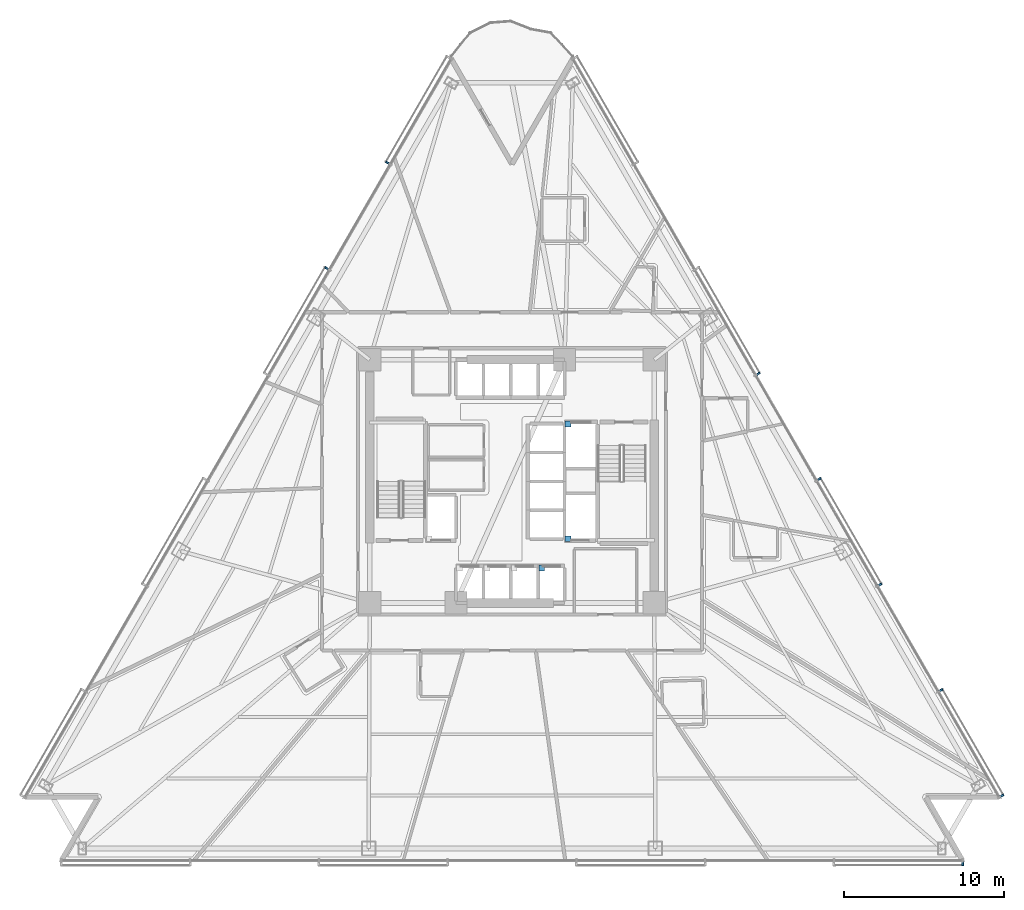
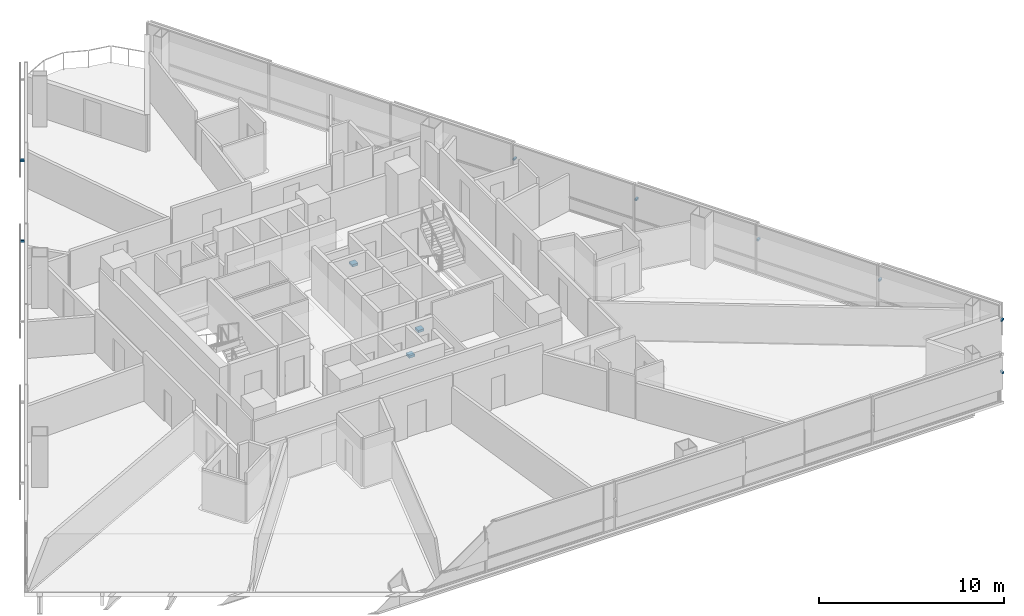
# One storey, part 12 of 17: 11 discrete accessories.
"""IFC4 building model written with IfcOpenShell, lengths in metres."""

import ifcopenshell
import ifcopenshell.guid

model = None  # the IFC model being written
_history = None  # IfcOwnerHistory: only IFC2X3 demands one
_inside = {}  # id of a spatial element -> (the spatial element, [elements in it])
_under = {}  # id of a project, library or spatial element -> (it, [spatial elements below it])
_declared = {}  # id of a project -> (the project, [libraries it declares])
_typed = {}  # id of a type object -> (the type object, [elements of that type])
_made_of = {}  # id of a material, layer set ... -> (it, [elements and type objects made of it])


def new_model(schema):
    """Start an empty IFC model of exactly this schema.

    Asked for "IFC4X3", IfcOpenShell would pick the latest addendum, in which some entities
    have other attributes; the version numbers below select the first issue.
    IFC2X3 requires an IfcOwnerHistory on every rooted entity: one is made here for all.
    """
    global model, _history
    if schema == "IFC4X3":
        model = ifcopenshell.file(schema_version=(4, 3, 0, 0))
    else:
        model = ifcopenshell.file(schema=schema)
    _inside.clear()
    _under.clear()
    _declared.clear()
    _typed.clear()
    _made_of.clear()
    _history = None
    if model.schema == "IFC2X3":
        org = make("IfcOrganization", Name="unknown")
        user = make(
            "IfcPersonAndOrganization",
            ThePerson=make("IfcPerson", FamilyName="unknown"),
            TheOrganization=org,
        )
        app = make(
            "IfcApplication",
            ApplicationDeveloper=org,
            Version="unknown",
            ApplicationFullName="unknown",
            ApplicationIdentifier="unknown",
        )
        _history = make(
            "IfcOwnerHistory",
            OwningUser=user,
            OwningApplication=app,
            ChangeAction="ADDED",
            CreationDate=0,
        )
    return model


def make(cls, **values):
    """One entity of the class cls with the attributes given. An attribute that is None is left unset."""
    return model.create_entity(
        cls, **{name: value for name, value in values.items() if value is not None}
    )


def rooted(cls, **values):
    """An entity with a GlobalId (a new one), such as an element, a storey or a relation."""
    return make(cls, GlobalId=ifcopenshell.guid.new(), OwnerHistory=_history, **values)


def si_unit(unit_type, name, prefix=None):
    """IfcSIUnit, for example si_unit("LENGTHUNIT", "METRE", prefix="MILLI")."""
    return make("IfcSIUnit", UnitType=unit_type, Prefix=prefix, Name=name)


def assignment(units):
    """IfcUnitAssignment: the units of a project."""
    return None if units is None else make("IfcUnitAssignment", Units=units)


def point(xyz):
    """IfcCartesianPoint."""
    return None if xyz is None else make("IfcCartesianPoint", Coordinates=xyz)


def direction(xyz):
    """IfcDirection."""
    return None if xyz is None else make("IfcDirection", DirectionRatios=xyz)


def frame(location, z_axis=None, x_axis=None):
    """IfcAxis2Placement3D, a coordinate frame: its origin and axes. An axis left out is left unset."""
    return make(
        "IfcAxis2Placement3D",
        Location=point(location),
        Axis=direction(z_axis),
        RefDirection=direction(x_axis),
    )


def frame_2d(location, x_axis=None):
    """IfcAxis2Placement2D, a coordinate frame in the plane: its origin and x axis."""
    return make(
        "IfcAxis2Placement2D", Location=point(location), RefDirection=direction(x_axis)
    )


def origin():
    """The frame at (0, 0, 0) with its axes left unset."""
    return frame((0.0, 0.0, 0.0))


def origin_2d():
    """The frame at (0, 0) in the plane with its x axis left unset."""
    return frame_2d((0.0, 0.0))


def place(relative_to, where):
    """IfcLocalPlacement: puts the frame where relative to a parent placement (None: the world)."""
    return make(
        "IfcLocalPlacement", PlacementRelTo=relative_to, RelativePlacement=where
    )


def context(
    kind, dimensions, precision=None, world=None, true_north=None, identifier=None
):
    """IfcGeometricRepresentationContext, for example the 3D "Model" context."""
    return make(
        "IfcGeometricRepresentationContext",
        ContextIdentifier=identifier,
        ContextType=kind,
        CoordinateSpaceDimension=dimensions,
        Precision=precision,
        WorldCoordinateSystem=world,
        TrueNorth=true_north,
    )


def subcontext(parent, identifier, kind, view, scale=None):
    """IfcGeometricRepresentationSubContext, for example "Body" below "Model"."""
    return make(
        "IfcGeometricRepresentationSubContext",
        ContextIdentifier=identifier,
        ContextType=kind,
        ParentContext=parent,
        TargetScale=scale,
        TargetView=view,
    )


def project(units=None, contexts=None):
    """IfcProject with its units and contexts."""
    return rooted(
        "IfcProject",
        Name="project",
        RepresentationContexts=contexts,
        UnitsInContext=assignment(units),
    )


def spatial(cls, under=None, at=None, **own):
    """A site, building, storey or space (cls), placed at a placement, below another one or the project."""
    s = rooted(cls, ObjectPlacement=at, **own)
    if under is not None:
        _under.setdefault(under.id(), (under, []))[1].append(s)
    return s


def profile(cls, at=None, kind="AREA", **sizes):
    """A parametric profile (cls). Its sizes go by their IFC names, for example OverallWidth=200.0."""
    return make(cls, ProfileType=kind, Position=at, **sizes)


def rectangle(**sizes):
    """IfcRectangleProfileDef."""
    return profile("IfcRectangleProfileDef", **sizes)


def extrude(swept, where, along, depth):
    """IfcExtrudedAreaSolid: the profile swept, set in the frame where, extruded along a direction by depth."""
    return make(
        "IfcExtrudedAreaSolid",
        SweptArea=swept,
        Position=where,
        ExtrudedDirection=direction(along),
        Depth=depth,
    )


def shape(context_of_items, identifier, shape_type, items):
    """IfcShapeRepresentation: the items that make up one representation, for example the "Body"."""
    return make(
        "IfcShapeRepresentation",
        ContextOfItems=context_of_items,
        RepresentationIdentifier=identifier,
        RepresentationType=shape_type,
        Items=items,
    )


def material(Name=None, Category=None):
    """IfcMaterial."""
    return make("IfcMaterial", Name=Name, Category=Category)


def made_of(thing, what):
    """Note that an element or type object is made of a material, layer set ...; save() writes the relation."""
    if what is not None:
        _made_of.setdefault(what.id(), (what, []))[1].append(thing)
    return thing


def type_object(cls, material=None, **own):
    """A type object (cls), such as IfcWallType, which elements share."""
    return made_of(rooted(cls, **own), material)


def element(
    cls,
    number,
    at=None,
    inside=None,
    cuts=None,
    type_object=None,
    material=None,
    context=None,
    identifier="Body",
    shape_type=None,
    held_by="IfcProductDefinitionShape",
    body=None,
    shapes=None,
    **own,
):
    """One element of the class cls, such as IfcWall. Its Tag is "e" and its number.

    at: its placement. inside: the storey or other place that contains it. cuts: it is an
    opening in that element (IfcRelVoidsElement). A single representation is given by context,
    identifier, shape_type and body (its items); several are given by shapes. held_by: the class
    of the entity that holds the representations. save() writes the other relations.
    """
    e = rooted(cls, Tag="e%d" % number, ObjectPlacement=at, **own)
    if body is not None:
        shapes = [shape(context, identifier, shape_type, body)]
    if shapes is not None:
        e.Representation = make(held_by, Representations=shapes)
    if inside is not None:
        _inside.setdefault(inside.id(), (inside, []))[1].append(e)
    if cuts is not None:
        rooted(
            "IfcRelVoidsElement", RelatingBuildingElement=cuts, RelatedOpeningElement=e
        )
    if type_object is not None:
        _typed.setdefault(type_object.id(), (type_object, []))[1].append(e)
    return made_of(e, material)


def aggregate(whole, parts):
    """IfcRelAggregates: a whole, such as a stair, and the parts it consists of."""
    return rooted("IfcRelAggregates", RelatingObject=whole, RelatedObjects=parts)


def save(model, path):
    """Write the relations noted so far, then the file.

    IfcRelAggregates (storeys below a building ...), IfcRelContainedInSpatialStructure (elements
    in a storey), IfcRelDefinesByType, IfcRelAssociatesMaterial and IfcRelDeclares: one each for
    every whole, place, type object, material and project.
    """
    for whole, parts in _under.values():
        aggregate(whole, parts)
    for where, things in _inside.values():
        rooted(
            "IfcRelContainedInSpatialStructure",
            RelatedElements=things,
            RelatingStructure=where,
        )
    for kind, things in _typed.values():
        rooted("IfcRelDefinesByType", RelatedObjects=things, RelatingType=kind)
    for what, things in _made_of.values():
        rooted("IfcRelAssociatesMaterial", RelatedObjects=things, RelatingMaterial=what)
    for by, libraries in _declared.values():
        rooted("IfcRelDeclares", RelatingContext=by, RelatedDefinitions=libraries)
    model.write(path)


model = new_model("IFC4")

# Units and contexts
model_context = context("Model", 3, precision=1e-05, world=origin(), true_north=direction((0.0, 1.0)))
body_context = subcontext(model_context, "Body", "Model", "MODEL_VIEW")
ifc_project = project(units=[si_unit("LENGTHUNIT", "METRE"), si_unit("AREAUNIT", "SQUARE_METRE"), si_unit("VOLUMEUNIT", "CUBIC_METRE"), si_unit("PLANEANGLEUNIT", "RADIAN"), si_unit("MASSUNIT", "GRAM", prefix="KILO")], contexts=[model_context])

# Site, building, storey
site_placement = place(None, origin())
site = spatial("IfcSite", under=ifc_project, at=site_placement, CompositionType="ELEMENT")
building_placement = place(site_placement, origin())
building = spatial("IfcBuilding", under=site, at=building_placement, Name="Tharavind Bronze Gate", CompositionType="ELEMENT")
storey_placement = place(building_placement, frame((0.0, 0.0, 35.25)))
storey = spatial("IfcBuildingStorey", under=building, at=storey_placement, Name="L07", CompositionType="ELEMENT", Elevation=35.25)

# Discrete accessories
ifc_material_1 = material(Name="Galvanised Steel S355", Category="steel")
discrete_accessory_type_1 = type_object("IfcDiscreteAccessoryType", Name="LIFT GUIDE RAIL BRACKET", PredefinedType="BRACKET", material=ifc_material_1)
for number, where, z_axis, x_axis, name in (
    (1, (1.857421875, -5.419921875, 1.1201171875), (0.0, 0.0, 1.0), (1.0, 0.0, 0.0), "Lift PL4 guide rail bracket at L07"),
    (2, (3.5, 3.580078125, 1.1201171875), (0.0, 0.0, 1.0), (1.0, 0.0, 0.0), "Lift FFL2 guide rail bracket at L07"),
    (3, (3.5, -3.580078125, 1.1201171875), (0.0, 0.0, 1.0), (1.0, 0.0, 0.0), "Lift SVL1 guide rail bracket at L07"),
):
    element("IfcDiscreteAccessory", number, at=place(storey_placement, frame(where, z_axis=z_axis, x_axis=x_axis)), inside=storey, type_object=discrete_accessory_type_1, Name=name, PredefinedType="BRACKET", context=body_context, shape_type="SweptSolid", body=[
        extrude(rectangle(XDim=0.360107421875, YDim=0.360107421875, at=origin_2d()), origin(), (0.0, 0.0, 1.0), 0.159912109375),
    ])
ifc_material_2 = material(Name="Stainless Steel 316", Category="steel")
discrete_accessory_type_2 = type_object("IfcDiscreteAccessoryType", Name="SOLAR SCREEN STANDOFF BRACKET", PredefinedType="BRACKET", material=ifc_material_2)
for number, where, z_axis, x_axis, name in (
    (4, (-7.78125, 19.922607421875, 2.00244140625), (0.0, 0.0, 1.0), (-0.500001511499, -0.866024531118, 0.0), "CW-L07-S1 solar screen bracket 1.2"),
    (5, (-11.589111328125, 13.326904296875, 2.00244140625), (0.0, 0.0, 1.0), (-0.500001511499, -0.866024531118, 0.0), "CW-L07-S1 solar screen bracket 3.1"),
    (6, (28.17578125, -23.89990234375, 2.00244140625), (0.0, 0.0, 1.0), (1.0, 0.0, 0.0), "CW-L07-S2 solar screen bracket 7.2"),
    (7, (30.62890625, -19.65087890625, 2.00244140625), (0.0, 0.0, 1.0), (-0.500001511499, 0.866024531118, 0.0), "CW-L07-S3 solar screen bracket 1.1"),
    (8, (26.821044921875, -13.055419921875, 2.00244140625), (0.0, 0.0, 1.0), (-0.500001511499, 0.866024531118, 0.0), "CW-L07-S3 solar screen bracket 1.2"),
    (9, (23.01318359375, -6.459716796875, 2.00244140625), (0.0, 0.0, 1.0), (-0.500001511499, 0.866024531118, 0.0), "CW-L07-S3 solar screen bracket 3.1"),
    (10, (19.205078125, 0.135986328125, 2.00244140625), (0.0, 0.0, 1.0), (-0.500001511499, 0.866024531118, 0.0), "CW-L07-S3 solar screen bracket 3.2"),
    (11, (15.397216796875, 6.7314453125, 2.00244140625), (0.0, 0.0, 1.0), (-0.500001511499, 0.866024531118, 0.0), "CW-L07-S3 solar screen bracket 5.1"),
):
    element("IfcDiscreteAccessory", number, at=place(storey_placement, frame(where, z_axis=z_axis, x_axis=x_axis)), inside=storey, type_object=discrete_accessory_type_2, Name=name, PredefinedType="BRACKET", context=body_context, shape_type="SweptSolid", body=[
        extrude(rectangle(XDim=0.1201171875, YDim=0.239990234375, at=origin_2d()), origin(), (0.0, 0.0, 1.0), 0.1201171875),
    ])

save(model, "model.ifc")
